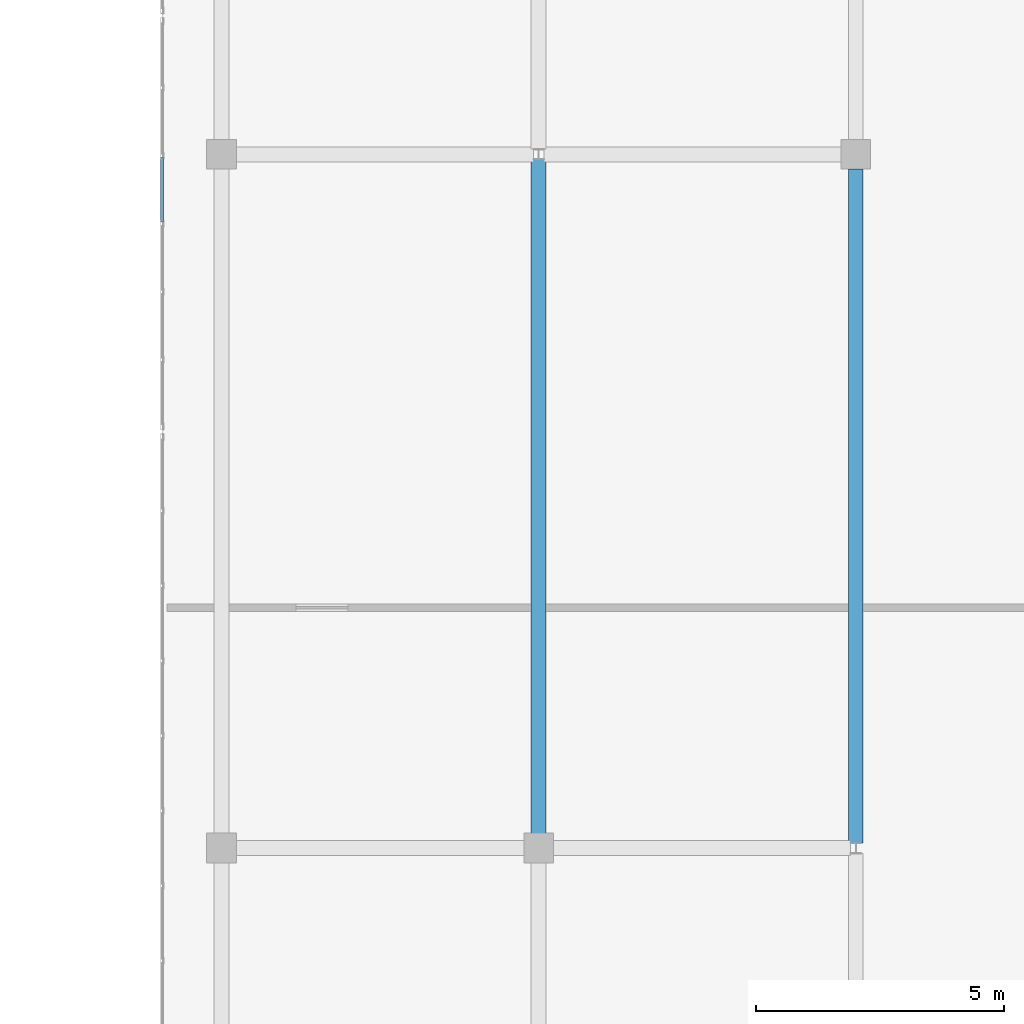
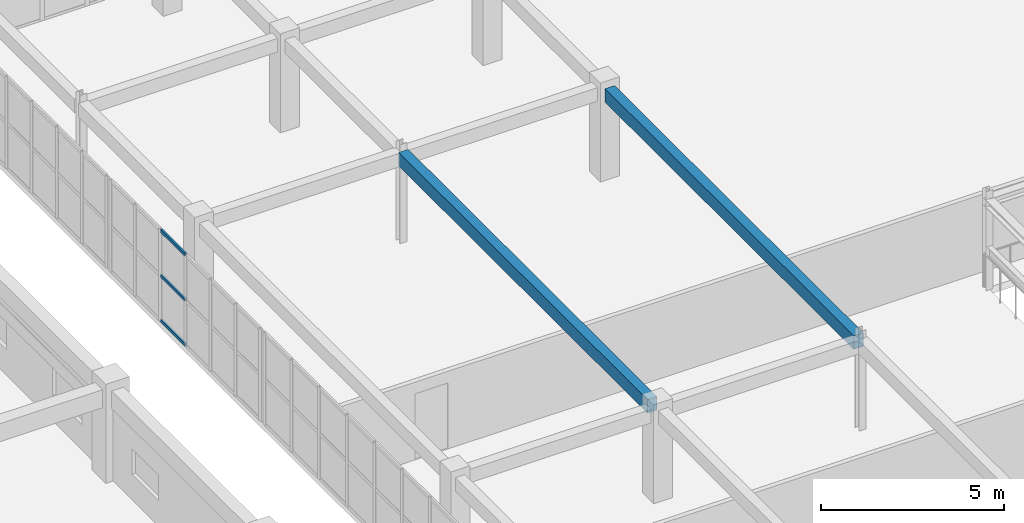
# One storey, part 82 of 200: 3 members, 2 beams, 1 element without a shape of its own.
"""IFC4 building model written with IfcOpenShell, lengths in metres."""

import ifcopenshell
import ifcopenshell.guid

model = None  # the IFC model being written
_history = None  # IfcOwnerHistory: only IFC2X3 demands one
_inside = {}  # id of a spatial element -> (the spatial element, [elements in it])
_under = {}  # id of a project, library or spatial element -> (it, [spatial elements below it])
_declared = {}  # id of a project -> (the project, [libraries it declares])
_typed = {}  # id of a type object -> (the type object, [elements of that type])
_made_of = {}  # id of a material, layer set ... -> (it, [elements and type objects made of it])


def new_model(schema):
    """Start an empty IFC model of exactly this schema.

    Asked for "IFC4X3", IfcOpenShell would pick the latest addendum, in which some entities
    have other attributes; the version numbers below select the first issue.
    IFC2X3 requires an IfcOwnerHistory on every rooted entity: one is made here for all.
    """
    global model, _history
    if schema == "IFC4X3":
        model = ifcopenshell.file(schema_version=(4, 3, 0, 0))
    else:
        model = ifcopenshell.file(schema=schema)
    _inside.clear()
    _under.clear()
    _declared.clear()
    _typed.clear()
    _made_of.clear()
    _history = None
    if model.schema == "IFC2X3":
        org = make("IfcOrganization", Name="unknown")
        user = make(
            "IfcPersonAndOrganization",
            ThePerson=make("IfcPerson", FamilyName="unknown"),
            TheOrganization=org,
        )
        app = make(
            "IfcApplication",
            ApplicationDeveloper=org,
            Version="unknown",
            ApplicationFullName="unknown",
            ApplicationIdentifier="unknown",
        )
        _history = make(
            "IfcOwnerHistory",
            OwningUser=user,
            OwningApplication=app,
            ChangeAction="ADDED",
            CreationDate=0,
        )
    return model


def make(cls, **values):
    """One entity of the class cls with the attributes given. An attribute that is None is left unset."""
    return model.create_entity(
        cls, **{name: value for name, value in values.items() if value is not None}
    )


def rooted(cls, **values):
    """An entity with a GlobalId (a new one), such as an element, a storey or a relation."""
    return make(cls, GlobalId=ifcopenshell.guid.new(), OwnerHistory=_history, **values)


def si_unit(unit_type, name, prefix=None):
    """IfcSIUnit, for example si_unit("LENGTHUNIT", "METRE", prefix="MILLI")."""
    return make("IfcSIUnit", UnitType=unit_type, Prefix=prefix, Name=name)


def assignment(units):
    """IfcUnitAssignment: the units of a project."""
    return None if units is None else make("IfcUnitAssignment", Units=units)


def point(xyz):
    """IfcCartesianPoint."""
    return None if xyz is None else make("IfcCartesianPoint", Coordinates=xyz)


def direction(xyz):
    """IfcDirection."""
    return None if xyz is None else make("IfcDirection", DirectionRatios=xyz)


def frame(location, z_axis=None, x_axis=None):
    """IfcAxis2Placement3D, a coordinate frame: its origin and axes. An axis left out is left unset."""
    return make(
        "IfcAxis2Placement3D",
        Location=point(location),
        Axis=direction(z_axis),
        RefDirection=direction(x_axis),
    )


def frame_2d(location, x_axis=None):
    """IfcAxis2Placement2D, a coordinate frame in the plane: its origin and x axis."""
    return make(
        "IfcAxis2Placement2D", Location=point(location), RefDirection=direction(x_axis)
    )


def origin():
    """The frame at (0, 0, 0) with its axes left unset."""
    return frame((0.0, 0.0, 0.0))


def origin_2d():
    """The frame at (0, 0) in the plane with its x axis left unset."""
    return frame_2d((0.0, 0.0))


def place(relative_to, where):
    """IfcLocalPlacement: puts the frame where relative to a parent placement (None: the world)."""
    return make(
        "IfcLocalPlacement", PlacementRelTo=relative_to, RelativePlacement=where
    )


def context(
    kind, dimensions, precision=None, world=None, true_north=None, identifier=None
):
    """IfcGeometricRepresentationContext, for example the 3D "Model" context."""
    return make(
        "IfcGeometricRepresentationContext",
        ContextIdentifier=identifier,
        ContextType=kind,
        CoordinateSpaceDimension=dimensions,
        Precision=precision,
        WorldCoordinateSystem=world,
        TrueNorth=true_north,
    )


def subcontext(parent, identifier, kind, view, scale=None):
    """IfcGeometricRepresentationSubContext, for example "Body" below "Model"."""
    return make(
        "IfcGeometricRepresentationSubContext",
        ContextIdentifier=identifier,
        ContextType=kind,
        ParentContext=parent,
        TargetScale=scale,
        TargetView=view,
    )


def project(units=None, contexts=None):
    """IfcProject with its units and contexts."""
    return rooted(
        "IfcProject",
        Name="project",
        RepresentationContexts=contexts,
        UnitsInContext=assignment(units),
    )


def spatial(cls, under=None, at=None, **own):
    """A site, building, storey or space (cls), placed at a placement, below another one or the project."""
    s = rooted(cls, ObjectPlacement=at, **own)
    if under is not None:
        _under.setdefault(under.id(), (under, []))[1].append(s)
    return s


def profile(cls, at=None, kind="AREA", **sizes):
    """A parametric profile (cls). Its sizes go by their IFC names, for example OverallWidth=200.0."""
    return make(cls, ProfileType=kind, Position=at, **sizes)


def rectangle(**sizes):
    """IfcRectangleProfileDef."""
    return profile("IfcRectangleProfileDef", **sizes)


def hollow_rectangle(**sizes):
    """IfcRectangleHollowProfileDef."""
    return profile("IfcRectangleHollowProfileDef", **sizes)


def extrude(swept, where, along, depth):
    """IfcExtrudedAreaSolid: the profile swept, set in the frame where, extruded along a direction by depth."""
    return make(
        "IfcExtrudedAreaSolid",
        SweptArea=swept,
        Position=where,
        ExtrudedDirection=direction(along),
        Depth=depth,
    )


def shape(context_of_items, identifier, shape_type, items):
    """IfcShapeRepresentation: the items that make up one representation, for example the "Body"."""
    return make(
        "IfcShapeRepresentation",
        ContextOfItems=context_of_items,
        RepresentationIdentifier=identifier,
        RepresentationType=shape_type,
        Items=items,
    )


def material(Name=None, Category=None):
    """IfcMaterial."""
    return make("IfcMaterial", Name=Name, Category=Category)


def layer(
    of_material, thickness, ventilated=None, Name=None, Category=None, Priority=None
):
    """IfcMaterialLayer: one layer of a wall or slab, of a material (None: an air gap)."""
    return make(
        "IfcMaterialLayer",
        Material=of_material,
        LayerThickness=thickness,
        IsVentilated=ventilated,
        Name=Name,
        Category=Category,
        Priority=Priority,
    )


def layer_set(layers, Name=None):
    """IfcMaterialLayerSet."""
    return make("IfcMaterialLayerSet", MaterialLayers=layers, LayerSetName=Name)


def material_profile(
    of_material, cross_section, Name=None, Category=None, Priority=None
):
    """IfcMaterialProfile: a cross section and its material."""
    return make(
        "IfcMaterialProfile",
        Name=Name,
        Material=of_material,
        Profile=cross_section,
        Priority=Priority,
        Category=Category,
    )


def profile_set(profiles, Name=None, composite=None):
    """IfcMaterialProfileSet."""
    return make(
        "IfcMaterialProfileSet",
        Name=Name,
        MaterialProfiles=profiles,
        CompositeProfile=composite,
    )


def made_of(thing, what):
    """Note that an element or type object is made of a material, layer set ...; save() writes the relation."""
    if what is not None:
        _made_of.setdefault(what.id(), (what, []))[1].append(thing)
    return thing


def type_object(cls, material=None, **own):
    """A type object (cls), such as IfcWallType, which elements share."""
    return made_of(rooted(cls, **own), material)


def element(
    cls,
    number,
    at=None,
    inside=None,
    cuts=None,
    type_object=None,
    material=None,
    context=None,
    identifier="Body",
    shape_type=None,
    held_by="IfcProductDefinitionShape",
    body=None,
    shapes=None,
    **own,
):
    """One element of the class cls, such as IfcWall. Its Tag is "e" and its number.

    at: its placement. inside: the storey or other place that contains it. cuts: it is an
    opening in that element (IfcRelVoidsElement). A single representation is given by context,
    identifier, shape_type and body (its items); several are given by shapes. held_by: the class
    of the entity that holds the representations. save() writes the other relations.
    """
    e = rooted(cls, Tag="e%d" % number, ObjectPlacement=at, **own)
    if body is not None:
        shapes = [shape(context, identifier, shape_type, body)]
    if shapes is not None:
        e.Representation = make(held_by, Representations=shapes)
    if inside is not None:
        _inside.setdefault(inside.id(), (inside, []))[1].append(e)
    if cuts is not None:
        rooted(
            "IfcRelVoidsElement", RelatingBuildingElement=cuts, RelatedOpeningElement=e
        )
    if type_object is not None:
        _typed.setdefault(type_object.id(), (type_object, []))[1].append(e)
    return made_of(e, material)


def aggregate(whole, parts):
    """IfcRelAggregates: a whole, such as a stair, and the parts it consists of."""
    return rooted("IfcRelAggregates", RelatingObject=whole, RelatedObjects=parts)


def save(model, path):
    """Write the relations noted so far, then the file.

    IfcRelAggregates (storeys below a building ...), IfcRelContainedInSpatialStructure (elements
    in a storey), IfcRelDefinesByType, IfcRelAssociatesMaterial and IfcRelDeclares: one each for
    every whole, place, type object, material and project.
    """
    for whole, parts in _under.values():
        aggregate(whole, parts)
    for where, things in _inside.values():
        rooted(
            "IfcRelContainedInSpatialStructure",
            RelatedElements=things,
            RelatingStructure=where,
        )
    for kind, things in _typed.values():
        rooted("IfcRelDefinesByType", RelatedObjects=things, RelatingType=kind)
    for what, things in _made_of.values():
        rooted("IfcRelAssociatesMaterial", RelatedObjects=things, RelatingMaterial=what)
    for by, libraries in _declared.values():
        rooted("IfcRelDeclares", RelatingContext=by, RelatedDefinitions=libraries)
    model.write(path)


model = new_model("IFC4")

# Units and contexts
model_context = context("Model", 3, precision=1e-05, world=origin(), true_north=direction((0.0, 1.0)))
body_context = subcontext(model_context, "Body", "Model", "MODEL_VIEW")
ifc_project = project(units=[si_unit("LENGTHUNIT", "METRE"), si_unit("AREAUNIT", "SQUARE_METRE"), si_unit("VOLUMEUNIT", "CUBIC_METRE"), si_unit("PLANEANGLEUNIT", "RADIAN"), si_unit("MASSUNIT", "GRAM", prefix="KILO")], contexts=[model_context])

# Site, building, storey
site_placement = place(None, origin())
site = spatial("IfcSite", under=ifc_project, at=site_placement, CompositionType="ELEMENT")
building_placement = place(site_placement, origin())
building = spatial("IfcBuilding", under=site, at=building_placement, Name="Trelvath General Hospital", CompositionType="ELEMENT")
storey_placement = place(building_placement, frame((0.0, 0.0, 4.800048828125)))
storey = spatial("IfcBuildingStorey", under=building, at=storey_placement, Name="L01", CompositionType="ELEMENT", Elevation=4.800048828125)

# Beams
ifc_material_1 = material(Name="Concrete C35/45", Category="concrete")
ifc_material_profile_1 = material_profile(ifc_material_1, rectangle(XDim=0.300048828125, YDim=0.449951171875, at=origin_2d()), Name="RCB300x450")
ifc_profile_set_1 = profile_set([ifc_material_profile_1], Name="Concrete C35/45")
beam_type = type_object("IfcBeamType", Name="Beam RC300x450", PredefinedType="BEAM", material=ifc_profile_set_1)
beam_1_placement = place(storey_placement, frame((54.39990234375, 59.095947265625, 2.8349609375), z_axis=(0.0, 1.0, 0.0), x_axis=(-1.0, 0.0, 0.0)))
element("IfcBeam", 1, at=beam_1_placement, inside=storey, type_object=beam_type, Name="Cube Interior Ring Beam CUBE-W-T0 L01", PredefinedType="BEAM", context=body_context, shape_type="SweptSolid", body=[
    extrude(rectangle(XDim=0.300048828125, YDim=0.449951171875, at=origin_2d()), origin(), (0.0, 0.0, 1.0), 13.59814453125),
])
beam_2_placement = place(storey_placement, frame((60.800048828125, 58.906005859375, 2.8349609375), z_axis=(0.0, 1.0, 0.0), x_axis=(-1.0, 0.0, 0.0)))
element("IfcBeam", 2, at=beam_2_placement, inside=storey, type_object=beam_type, Name="Cube Interior Ring Beam CUBE-W-T0 L01", PredefinedType="BEAM", context=body_context, shape_type="SweptSolid", body=[
    extrude(rectangle(XDim=0.300048828125, YDim=0.449951171875, at=origin_2d()), origin(), (0.0, 0.0, 1.0), 13.597900390625),
])

# Curtain wall, members
ifc_material_2 = material(Name="Anodised aluminium and low-E glass", Category="aluminium")
ifc_layer = layer(ifc_material_2, 0.14990234375)
ifc_layer_set = layer_set([ifc_layer], Name="Anodised aluminium and low-E glass")
curtain_wall_type = type_object("IfcCurtainWallType", Name="CW CrystalCube 824 306 15", PredefinedType="USERDEFINED", material=ifc_layer_set)
curtain_wall_placement = place(storey_placement, origin())
curtain_wall = element("IfcCurtainWall", 3, at=curtain_wall_placement, inside=storey, type_object=curtain_wall_type, Name="Crystal Cube Curtain Wall CUBE-W-T0 W5 L01", ObjectType="Unitised Glazed Curtain Wall", PredefinedType="USERDEFINED")
ifc_material_3 = material(Name="Anodised aluminium", Category="aluminium")
ifc_material_profile_2 = material_profile(ifc_material_3, hollow_rectangle(XDim=0.06005859375, YDim=0.110107421875, WallThickness=0.00390625, at=origin_2d()), Name="RHS60x110x4")
ifc_profile_set_2 = profile_set([ifc_material_profile_2], Name="Anodised aluminium")
member_type = type_object("IfcMemberType", Name="CurtainTransom 60x110", PredefinedType="USERDEFINED", material=ifc_profile_set_2)
member_1_placement = place(storey_placement, frame((46.800048828125, 71.429931640625, 0.030029296875), z_axis=(0.0, 1.0, 0.0), x_axis=(-1.0, 0.0, 0.0)))
member_1 = element("IfcMember", 4, at=member_1_placement, type_object=member_type, Name="CW-144 transom 4.1", ObjectType="TRANSOM", PredefinedType="USERDEFINED", context=body_context, shape_type="SweptSolid", body=[
    extrude(hollow_rectangle(XDim=0.06005859375, YDim=0.110107421875, WallThickness=0.00390625, at=origin_2d()), origin(), (0.0, 0.0, 1.0), 1.3134765625),
])
member_2_placement = place(storey_placement, frame((46.800048828125, 71.429931640625, 1.530029296875), z_axis=(0.0, 1.0, 0.0), x_axis=(-1.0, 0.0, 0.0)))
member_2 = element("IfcMember", 5, at=member_2_placement, type_object=member_type, Name="CW-144 transom 4.2", ObjectType="TRANSOM", PredefinedType="USERDEFINED", context=body_context, shape_type="SweptSolid", body=[
    extrude(hollow_rectangle(XDim=0.06005859375, YDim=0.110107421875, WallThickness=0.00390625, at=origin_2d()), origin(), (0.0, 0.0, 1.0), 1.3134765625),
])
member_3_placement = place(storey_placement, frame((46.800048828125, 71.429931640625, 3.030029296875), z_axis=(0.0, 1.0, 0.0), x_axis=(-1.0, 0.0, 0.0)))
member_3 = element("IfcMember", 6, at=member_3_placement, type_object=member_type, Name="CW-144 transom 4.3", ObjectType="TRANSOM", PredefinedType="USERDEFINED", context=body_context, shape_type="SweptSolid", body=[
    extrude(hollow_rectangle(XDim=0.06005859375, YDim=0.110107421875, WallThickness=0.00390625, at=origin_2d()), origin(), (0.0, 0.0, 1.0), 1.3134765625),
])
aggregate(curtain_wall, [member_1, member_2, member_3])

save(model, "model.ifc")
